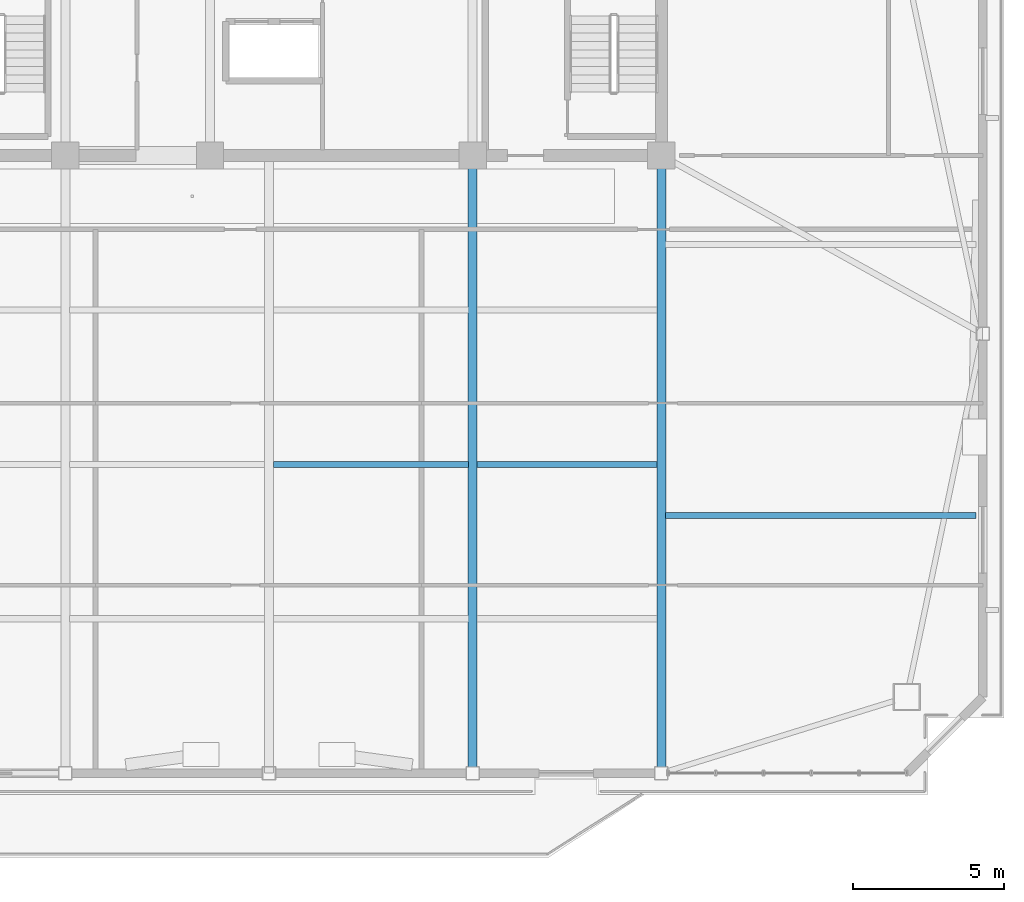
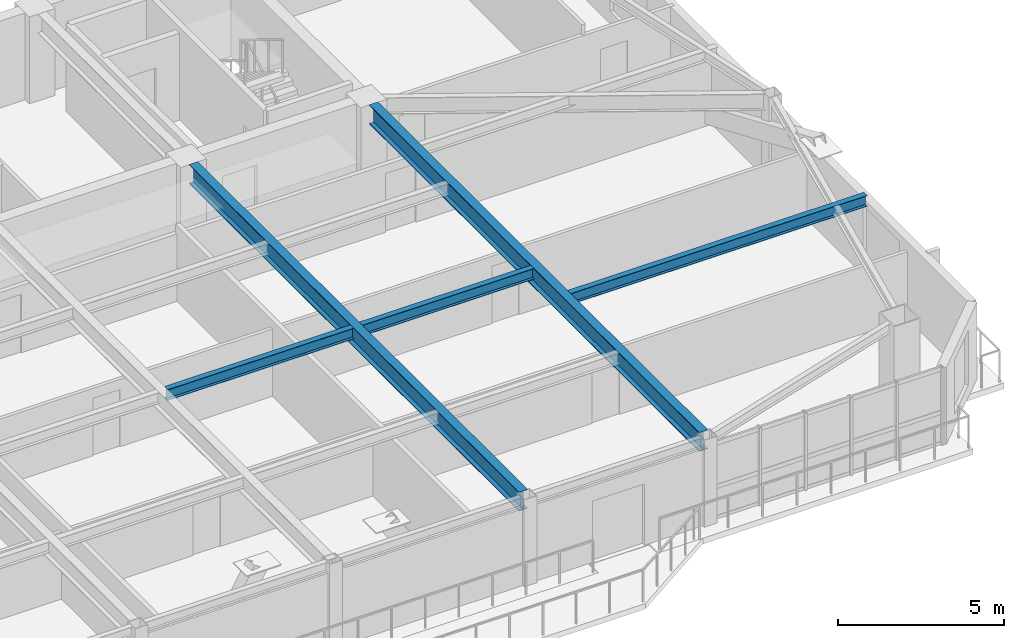
# One storey, part 5 of 16: 5 beams.
"""IFC4 building model written with IfcOpenShell, lengths in metres."""

from ifc_helpers import new_model, si_unit, direction, frame, origin, origin_2d, place, context, subcontext, project, spatial, i_section, extrude, source, transform, mapped, material, material_profile, profile_set, type_object, element, save


model = new_model("IFC4")

# Units and contexts
model_context = context("Model", 3, precision=1e-05, world=origin(), true_north=direction((0.0, 1.0)))
body_context = subcontext(model_context, "Body", "Model", "MODEL_VIEW")
ifc_project = project(units=[si_unit("LENGTHUNIT", "METRE"), si_unit("AREAUNIT", "SQUARE_METRE"), si_unit("VOLUMEUNIT", "CUBIC_METRE"), si_unit("PLANEANGLEUNIT", "RADIAN"), si_unit("MASSUNIT", "GRAM", prefix="KILO")], contexts=[model_context])

# Site, building, storey
site_placement = place(None, origin())
site = spatial("IfcSite", under=ifc_project, at=site_placement, CompositionType="ELEMENT")
building_placement = place(site_placement, origin())
building = spatial("IfcBuilding", under=site, at=building_placement, Name="Giltprow Tower", CompositionType="ELEMENT")
storey_placement = place(building_placement, frame((0.0, 0.0, 272.300048828125)))
storey = spatial("IfcBuildingStorey", under=building, at=storey_placement, Name="L70", CompositionType="ELEMENT", Elevation=272.300048828125)

# Beams
ifc_material = material(Name="Structural steel Q355B", Category="steel")
ifc_material_profile_1 = material_profile(ifc_material, i_section(OverallWidth=0.199951171875, OverallDepth=0.39990234375, WebThickness=0.008056640625, FlangeThickness=0.012939453125, at=origin_2d()), Name="HN 400x200x8x13")
ifc_profile_set_1 = profile_set([ifc_material_profile_1], Name="Structural steel Q355B")
beam_type_1 = type_object("IfcBeamType", Name="BM-JOIST-HN400", PredefinedType="JOIST", material=ifc_profile_set_1)
shared_shape_1 = source(origin(), body_context, "Body", "SweptSolid", [
    extrude(i_section(OverallWidth=0.199951171875, OverallDepth=0.39990234375, WebThickness=0.008056640625, FlangeThickness=0.012939453125, at=origin_2d()), origin(), (0.0, 0.0, 1.0), 6.4599609375),
])
beam_1_placement = place(storey_placement, frame((37.695068359375, 27.212890625, 2.98486328125), z_axis=(1.0, 0.0, 0.0), x_axis=(0.0, 1.0, 0.0)))
element("IfcBeam", 1, at=beam_1_placement, inside=storey, type_object=beam_type_1, Name="L70 Composite Floor Joist 2-3", PredefinedType="JOIST", context=body_context, shape_type="MappedRepresentation", body=[
    mapped(shared_shape_1, transform((0.0, 0.0, 0.0), x_axis=(1.0, 0.0, 0.0), y_axis=(0.0, 1.0, 0.0), z_axis=(0.0, 0.0, 1.0), scale=1.0)),
])
shared_shape_2 = source(origin(), body_context, "Body", "SweptSolid", [
    extrude(i_section(OverallWidth=0.199951171875, OverallDepth=0.39990234375, WebThickness=0.008056640625, FlangeThickness=0.012939453125, at=origin_2d()), origin(), (0.0, 0.0, 1.0), 5.9599609375),
])
beam_2_placement = place(storey_placement, frame((44.445068359375, 27.212890625, 2.98486328125), z_axis=(1.0, 0.0, 0.0), x_axis=(0.0, 1.0, 0.0)))
element("IfcBeam", 2, at=beam_2_placement, inside=storey, type_object=beam_type_1, Name="L70 Composite Floor Joist 2-4", PredefinedType="JOIST", context=body_context, shape_type="MappedRepresentation", body=[
    mapped(shared_shape_2, transform((0.0, 0.0, 0.0), x_axis=(1.0, 0.0, 0.0), y_axis=(0.0, 1.0, 0.0), z_axis=(0.0, 0.0, 1.0), scale=1.0)),
])
shared_shape_3 = source(origin(), body_context, "Body", "SweptSolid", [
    extrude(i_section(OverallWidth=0.199951171875, OverallDepth=0.39990234375, WebThickness=0.008056640625, FlangeThickness=0.012939453125, at=origin_2d()), origin(), (0.0, 0.0, 1.0), 10.2919921875),
])
beam_3_placement = place(storey_placement, frame((50.695068359375, 25.51806640625, 2.98486328125), z_axis=(1.0, 0.0, 0.0), x_axis=(0.0, 1.0, 0.0)))
element("IfcBeam", 3, at=beam_3_placement, inside=storey, type_object=beam_type_1, Name="L70 East Wing Floor Joist 1", PredefinedType="JOIST", context=body_context, shape_type="MappedRepresentation", body=[
    mapped(shared_shape_3, transform((0.0, 0.0, 0.0), x_axis=(1.0, 0.0, 0.0), y_axis=(0.0, 1.0, 0.0), z_axis=(0.0, 0.0, 1.0), scale=1.0)),
])
ifc_material_profile_2 = material_profile(ifc_material, i_section(OverallWidth=0.300048828125, OverallDepth=0.699951171875, WebThickness=0.012939453125, FlangeThickness=0.02392578125, at=origin_2d()), Name="HN 700x300x13x24")
ifc_profile_set_2 = profile_set([ifc_material_profile_2], Name="Structural steel Q355B")
beam_type_2 = type_object("IfcBeamType", Name="BM-GIRD-HN700", PredefinedType="BEAM", material=ifc_profile_set_2)
shared_shape_4 = source(origin(), body_context, "Body", "SweptSolid", [
    extrude(i_section(OverallWidth=0.300048828125, OverallDepth=0.699951171875, WebThickness=0.012939453125, FlangeThickness=0.02392578125, at=origin_2d()), origin(), (0.0, 0.0, 1.0), 19.828857421875),
])
for number, where, z_axis, x_axis, name in (
    (4, (44.300048828125, 17.18603515625, 2.8349609375), (0.0, 1.0, 0.0), (-1.0, 0.0, 0.0), "L70 Primary Lease Girder S3"),
    (5, (50.550048828125, 17.18603515625, 2.8349609375), (0.0, 1.0, 0.0), (-1.0, 0.0, 0.0), "L70 Primary Lease Girder S4"),
):
    element("IfcBeam", number, at=place(storey_placement, frame(where, z_axis=z_axis, x_axis=x_axis)), inside=storey, type_object=beam_type_2, Name=name, PredefinedType="BEAM", context=body_context, shape_type="MappedRepresentation", body=[
        mapped(shared_shape_4, transform((0.0, 0.0, 0.0), x_axis=(1.0, 0.0, 0.0), y_axis=(0.0, 1.0, 0.0), z_axis=(0.0, 0.0, 1.0), scale=1.0)),
    ])

save(model, "model.ifc")
